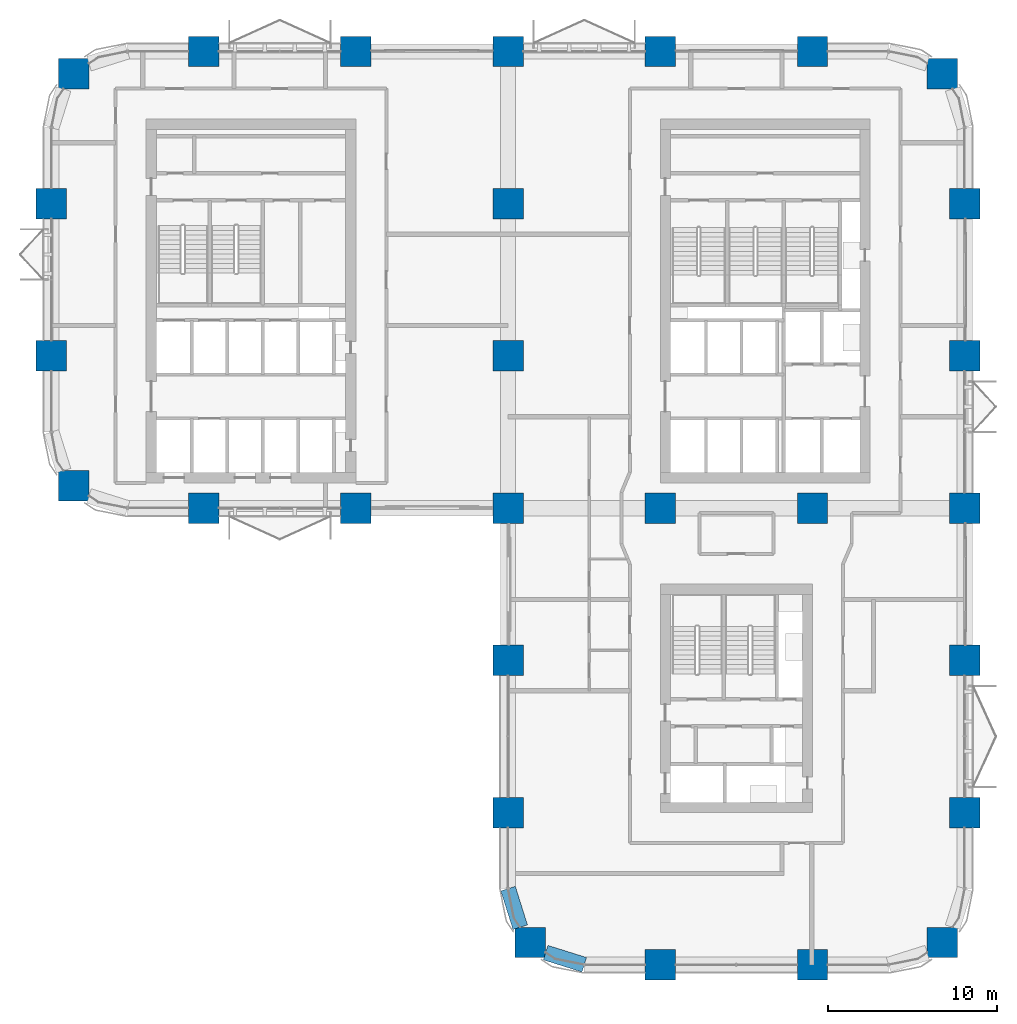
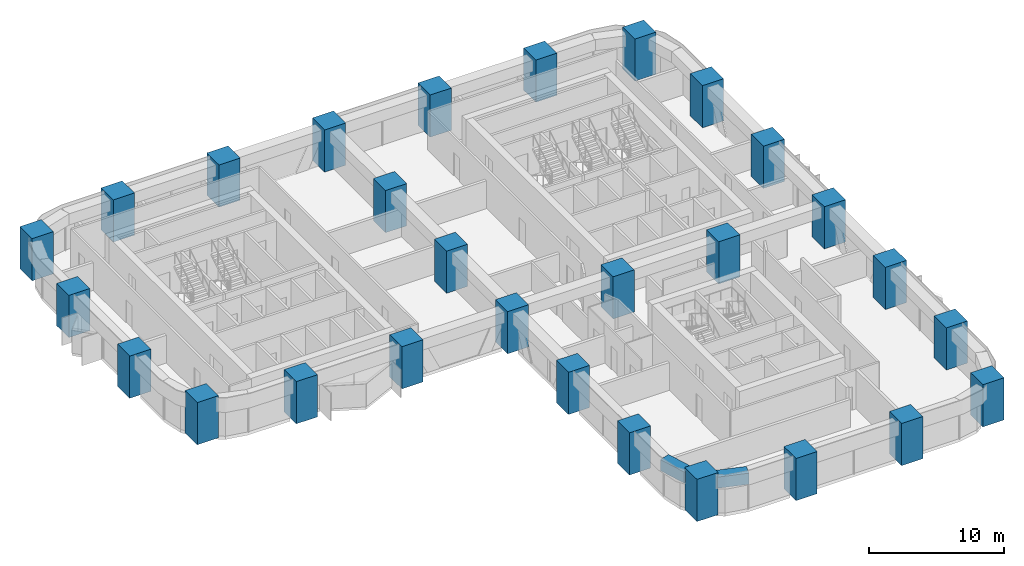
# One storey, part 1 of 18: 28 columns, 2 beams.
"""IFC4 building model written with IfcOpenShell, lengths in metres."""

from ifc_helpers import new_model, si_unit, direction, frame, origin, origin_2d, place, context, subcontext, project, spatial, rectangle, extrude, material, material_profile, profile_set, type_object, element, save


model = new_model("IFC4")

# Units and contexts
model_context = context("Model", 3, precision=1e-05, world=origin(), true_north=direction((0.0, 1.0)))
body_context = subcontext(model_context, "Body", "Model", "MODEL_VIEW")
ifc_project = project(units=[si_unit("LENGTHUNIT", "METRE"), si_unit("AREAUNIT", "SQUARE_METRE"), si_unit("VOLUMEUNIT", "CUBIC_METRE"), si_unit("PLANEANGLEUNIT", "RADIAN"), si_unit("MASSUNIT", "GRAM", prefix="KILO")], contexts=[model_context])

# Site, building, storey
site_placement = place(None, origin())
site = spatial("IfcSite", under=ifc_project, at=site_placement, CompositionType="ELEMENT")
building_placement = place(site_placement, origin())
building = spatial("IfcBuilding", under=site, at=building_placement, Name="Tessera Arch", CompositionType="ELEMENT")
storey_placement = place(building_placement, frame((0.0, 0.0, 89.199951171875)))
storey = spatial("IfcBuildingStorey", under=building, at=storey_placement, Name="L20", CompositionType="ELEMENT", Elevation=89.199951171875)

# Columns
ifc_material_1 = material(Name="Concrete C80/95", Category="concrete")
ifc_material_profile_1 = material_profile(ifc_material_1, rectangle(XDim=1.800048828125, YDim=1.800048828125, at=origin_2d()), Name="RC column 1800 x 1800 Concrete C80/95")
ifc_profile_set_1 = profile_set([ifc_material_profile_1], Name="Concrete C80/95")
column_type = type_object("IfcColumnType", Name="RC column 1800 x 1800 Concrete C80/95", PredefinedType="COLUMN", material=ifc_profile_set_1)
for number, where, z_axis, x_axis, name in (
    (1, (1.318115234375, 28.318115234375, 0.0), (0.0, 0.0, 1.0), (1.0, 0.0, 0.0), "Column C1D L20"),
    (2, (0.0, 36.0, 0.0), (0.0, 0.0, 1.0), (1.0, 0.0, 0.0), "Column C1E L20"),
    (3, (0.0, 45.0, 0.0), (0.0, 0.0, 1.0), (1.0, 0.0, 0.0), "Column C1F L20"),
    (4, (1.318115234375, 52.681884765625, 0.0), (0.0, 0.0, 1.0), (1.0, 0.0, 0.0), "Column C1G L20"),
    (5, (9.0, 27.0, 0.0), (0.0, 0.0, 1.0), (1.0, 0.0, 0.0), "Column C2D L20"),
    (6, (9.0, 54.0, 0.0), (0.0, 0.0, 1.0), (1.0, 0.0, 0.0), "Column C2G L20"),
    (7, (18.0, 27.0, 0.0), (0.0, 0.0, 1.0), (1.0, 0.0, 0.0), "Column C3D L20"),
    (8, (18.0, 54.0, 0.0), (0.0, 0.0, 1.0), (1.0, 0.0, 0.0), "Column C3G L20"),
    (9, (28.318115234375, 1.318115234375, 0.0), (0.0, 0.0, 1.0), (1.0, 0.0, 0.0), "Column C4A L20"),
    (10, (27.0, 9.0, 0.0), (0.0, 0.0, 1.0), (1.0, 0.0, 0.0), "Column C4B L20"),
    (11, (27.0, 18.0, 0.0), (0.0, 0.0, 1.0), (1.0, 0.0, 0.0), "Column C4C L20"),
    (12, (27.0, 27.0, 0.0), (0.0, 0.0, 1.0), (1.0, 0.0, 0.0), "Column C4D L20"),
    (13, (27.0, 36.0, 0.0), (0.0, 0.0, 1.0), (1.0, 0.0, 0.0), "Column C4E L20"),
    (14, (27.0, 45.0, 0.0), (0.0, 0.0, 1.0), (1.0, 0.0, 0.0), "Column C4F L20"),
    (15, (27.0, 54.0, 0.0), (0.0, 0.0, 1.0), (1.0, 0.0, 0.0), "Column C4G L20"),
    (16, (36.0, 0.0, 0.0), (0.0, 0.0, 1.0), (1.0, 0.0, 0.0), "Column C5A L20"),
    (17, (36.0, 27.0, 0.0), (0.0, 0.0, 1.0), (1.0, 0.0, 0.0), "Column C5D L20"),
    (18, (36.0, 54.0, 0.0), (0.0, 0.0, 1.0), (1.0, 0.0, 0.0), "Column C5G L20"),
    (19, (45.0, 0.0, 0.0), (0.0, 0.0, 1.0), (1.0, 0.0, 0.0), "Column C6A L20"),
    (20, (45.0, 27.0, 0.0), (0.0, 0.0, 1.0), (1.0, 0.0, 0.0), "Column C6D L20"),
    (21, (45.0, 54.0, 0.0), (0.0, 0.0, 1.0), (1.0, 0.0, 0.0), "Column C6G L20"),
    (22, (52.681884765625, 1.318115234375, 0.0), (0.0, 0.0, 1.0), (1.0, 0.0, 0.0), "Column C7A L20"),
    (23, (54.0, 9.0, 0.0), (0.0, 0.0, 1.0), (1.0, 0.0, 0.0), "Column C7B L20"),
    (24, (54.0, 18.0, 0.0), (0.0, 0.0, 1.0), (1.0, 0.0, 0.0), "Column C7C L20"),
    (25, (54.0, 27.0, 0.0), (0.0, 0.0, 1.0), (1.0, 0.0, 0.0), "Column C7D L20"),
    (26, (54.0, 36.0, 0.0), (0.0, 0.0, 1.0), (1.0, 0.0, 0.0), "Column C7E L20"),
    (27, (54.0, 45.0, 0.0), (0.0, 0.0, 1.0), (1.0, 0.0, 0.0), "Column C7F L20"),
    (28, (52.681884765625, 52.681884765625, 0.0), (0.0, 0.0, 1.0), (1.0, 0.0, 0.0), "Column C7G L20"),
):
    element("IfcColumn", number, at=place(storey_placement, frame(where, z_axis=z_axis, x_axis=x_axis)), inside=storey, type_object=column_type, Name=name, PredefinedType="COLUMN", context=body_context, shape_type="SweptSolid", body=[
        extrude(rectangle(XDim=1.800048828125, YDim=1.800048828125, at=origin_2d()), origin(), (0.0, 0.0, 1.0), 3.800048828125),
    ])

# Beams
ifc_material_2 = material(Name="Concrete C80/95", Category="concrete")
ifc_material_profile_2 = material_profile(ifc_material_2, rectangle(XDim=0.89990234375, YDim=1.0, at=origin_2d()), Name="RC spandrel beam 900 x 1000 Concrete C80/95")
ifc_profile_set_2 = profile_set([ifc_material_profile_2], Name="Concrete C80/95")
beam_type = type_object("IfcBeamType", Name="RC spandrel beam 900 x 1000 Concrete C80/95", PredefinedType="BEAM", material=ifc_profile_set_2)
for number, where, z_axis, x_axis, name in (
    (29, (27.0, 4.5, 3.0), (0.299675309057, -0.954041251279, 0.0), (0.954041251279, 0.299675309057, 0.0), "Spandrel beam L20 W27.0/2.2"),
    (30, (29.218017578125, 0.716796875, 3.0), (0.954041251279, -0.299675309057, 0.0), (0.299675309057, 0.954041251279, 0.0), "Spandrel beam L20 S0.27/0.1"),
):
    element("IfcBeam", number, at=place(storey_placement, frame(where, z_axis=z_axis, x_axis=x_axis)), inside=storey, type_object=beam_type, Name=name, PredefinedType="BEAM", context=body_context, shape_type="SweptSolid", body=[
        extrude(rectangle(XDim=0.89990234375, YDim=1.0, at=origin_2d()), origin(), (0.0, 0.0, 1.0), 2.391845703125),
    ])

save(model, "model.ifc")
